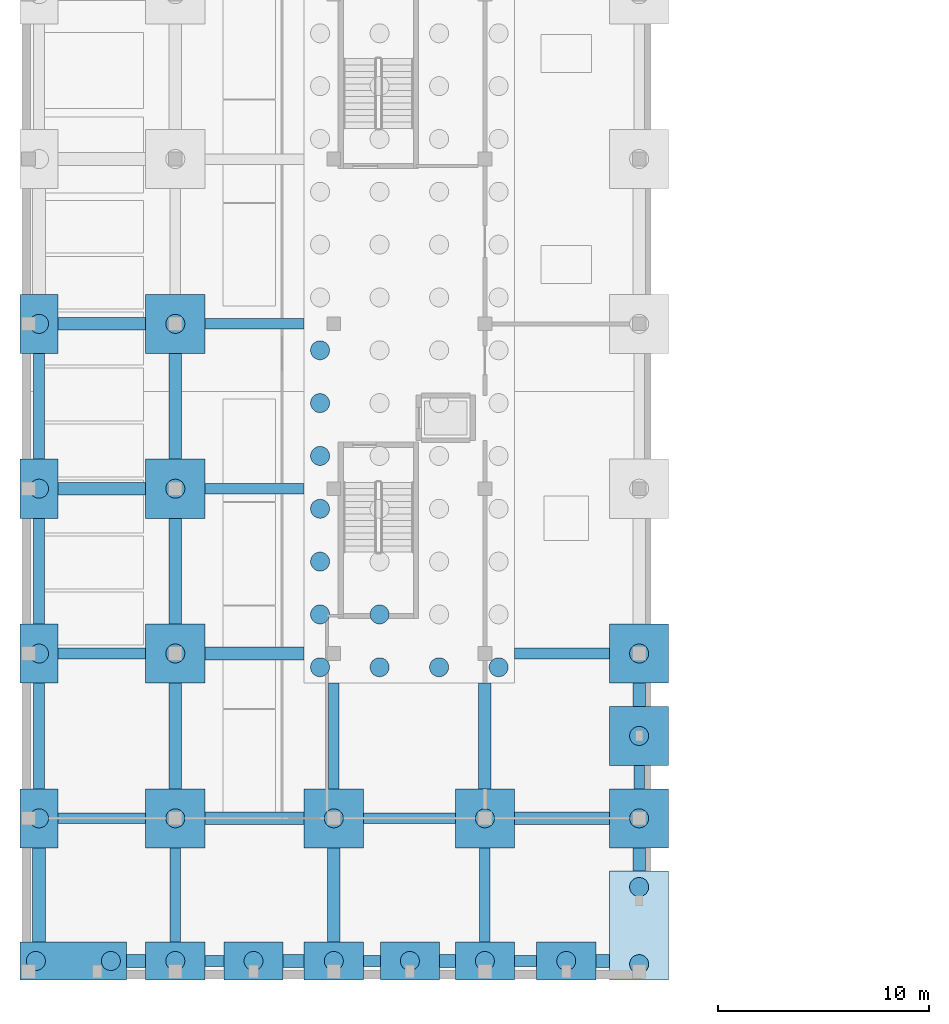
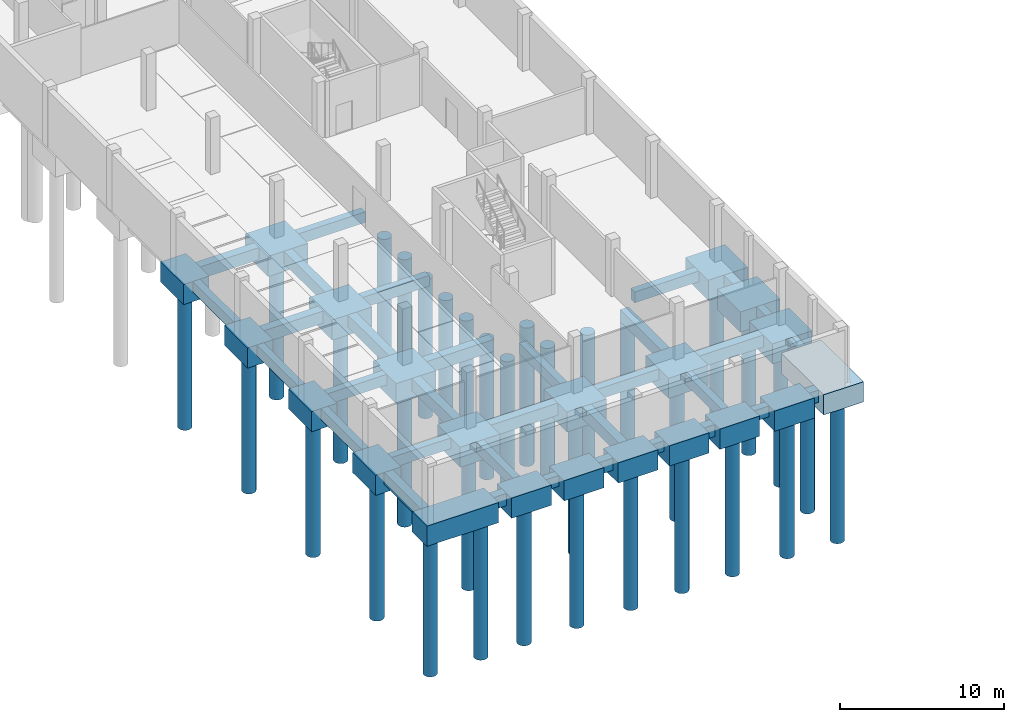
# One storey, part 1 of 21: 54 footings, 34 piles.
"""IFC4 building model written with IfcOpenShell, lengths in metres."""

from ifc_helpers import new_model, si_unit, direction, frame, origin, origin_2d, place, context, subcontext, project, spatial, polyline, circle, outline, extrude, material, material_profile, profile_set, type_object, element, save


model = new_model("IFC4")

# Units and contexts
model_context = context("Model", 3, precision=1e-05, world=origin(), true_north=direction((0.0, 1.0)))
body_context = subcontext(model_context, "Body", "Model", "MODEL_VIEW")
ifc_project = project(units=[si_unit("LENGTHUNIT", "METRE"), si_unit("AREAUNIT", "SQUARE_METRE"), si_unit("VOLUMEUNIT", "CUBIC_METRE"), si_unit("PLANEANGLEUNIT", "RADIAN"), si_unit("MASSUNIT", "GRAM", prefix="KILO")], contexts=[model_context])

# Site, building, storey
site_placement = place(None, origin())
site = spatial("IfcSite", under=ifc_project, at=site_placement, CompositionType="ELEMENT")
building_placement = place(site_placement, origin())
building = spatial("IfcBuilding", under=site, at=building_placement, Name="Quillay Park Conservatory", CompositionType="ELEMENT")
storey_placement = place(building_placement, frame((0.0, 0.0, -8.39990234375)))
storey = spatial("IfcBuildingStorey", under=building, at=storey_placement, Name="B2", CompositionType="ELEMENT", Elevation=-8.39990234375)

# Piles
ifc_material_1 = material(Name="Concrete C35/45 (NCh170 Concrete C35/45)", Category="concrete")
ifc_material_profile = material_profile(ifc_material_1, circle(Radius=0.449951171875, at=origin_2d()), Name="PILE900")
ifc_profile_set = profile_set([ifc_material_profile], Name="Concrete C35/45 (NCh170 Concrete C35/45)")
pile_type = type_object("IfcPileType", Name="BORED CONCRETE PILE 900", PredefinedType="BORED", material=ifc_profile_set)
for number, where, z_axis, x_axis, name in (
    (1, (0.89990234375, 1.050048828125, -1.7001953125), (0.0, 0.0, -1.0), (1.0, 0.0, 0.0), "Bored pile P-0001"),
    (2, (4.449951171875, 1.050048828125, -1.7001953125), (0.0, 0.0, -1.0), (1.0, 0.0, 0.0), "Bored pile P-0002"),
    (3, (7.5, 1.050048828125, -1.7001953125), (0.0, 0.0, -1.0), (1.0, 0.0, 0.0), "Bored pile P-0003"),
    (4, (11.199951171875, 1.050048828125, -1.7001953125), (0.0, 0.0, -1.0), (1.0, 0.0, 0.0), "Bored pile P-0004"),
    (5, (15.0, 1.050048828125, -1.7001953125), (0.0, 0.0, -1.0), (1.0, 0.0, 0.0), "Bored pile P-0005"),
    (6, (18.60009765625, 1.050048828125, -1.7001953125), (0.0, 0.0, -1.0), (1.0, 0.0, 0.0), "Bored pile P-0006"),
    (7, (22.14990234375, 1.050048828125, -1.7001953125), (0.0, 0.0, -1.0), (1.0, 0.0, 0.0), "Bored pile P-0007"),
    (8, (26.0, 1.050048828125, -1.7001953125), (0.0, 0.0, -1.0), (1.0, 0.0, 0.0), "Bored pile P-0008"),
    (9, (29.449951171875, 0.89990234375, -1.7001953125), (0.0, 0.0, -1.0), (1.0, 0.0, 0.0), "Bored pile P-0009"),
    (10, (29.449951171875, 4.550048828125, -1.7001953125), (0.0, 0.0, -1.0), (1.0, 0.0, 0.0), "Bored pile P-0010"),
    (11, (1.050048828125, 7.800048828125, -1.7001953125), (0.0, 0.0, -1.0), (1.0, 0.0, 0.0), "Bored pile P-0011"),
    (12, (7.5, 7.800048828125, -1.7001953125), (0.0, 0.0, -1.0), (1.0, 0.0, 0.0), "Bored pile P-0012"),
    (13, (15.0, 7.800048828125, -1.7001953125), (0.0, 0.0, -1.0), (1.0, 0.0, 0.0), "Bored pile P-0013"),
    (14, (22.14990234375, 7.800048828125, -1.7001953125), (0.0, 0.0, -1.0), (1.0, 0.0, 0.0), "Bored pile P-0014"),
    (15, (29.449951171875, 7.800048828125, -1.7001953125), (0.0, 0.0, -1.0), (1.0, 0.0, 0.0), "Bored pile P-0015"),
    (16, (29.449951171875, 11.699951171875, -1.7001953125), (0.0, 0.0, -1.0), (1.0, 0.0, 0.0), "Bored pile P-0016"),
    (17, (1.050048828125, 15.60009765625, -1.7001953125), (0.0, 0.0, -1.0), (1.0, 0.0, 0.0), "Bored pile P-0017"),
    (18, (7.5, 15.60009765625, -1.7001953125), (0.0, 0.0, -1.0), (1.0, 0.0, 0.0), "Bored pile P-0018"),
    (19, (14.35009765625, 14.949951171875, -1.7001953125), (0.0, 0.0, -1.0), (1.0, 0.0, 0.0), "Bored pile P-0019"),
    (20, (14.35009765625, 17.449951171875, -1.7001953125), (0.0, 0.0, -1.0), (1.0, 0.0, 0.0), "Bored pile P-0020"),
    (21, (14.35009765625, 19.949951171875, -1.7001953125), (0.0, 0.0, -1.0), (1.0, 0.0, 0.0), "Bored pile P-0021"),
    (22, (14.35009765625, 22.449951171875, -1.7001953125), (0.0, 0.0, -1.0), (1.0, 0.0, 0.0), "Bored pile P-0022"),
    (23, (14.35009765625, 24.949951171875, -1.7001953125), (0.0, 0.0, -1.0), (1.0, 0.0, 0.0), "Bored pile P-0023"),
    (24, (14.35009765625, 27.449951171875, -1.7001953125), (0.0, 0.0, -1.0), (1.0, 0.0, 0.0), "Bored pile P-0024"),
    (25, (14.35009765625, 29.949951171875, -1.7001953125), (0.0, 0.0, -1.0), (1.0, 0.0, 0.0), "Bored pile P-0025"),
    (26, (17.166748046875, 14.949951171875, -1.7001953125), (0.0, 0.0, -1.0), (1.0, 0.0, 0.0), "Bored pile P-0033"),
    (27, (17.166748046875, 17.449951171875, -1.7001953125), (0.0, 0.0, -1.0), (1.0, 0.0, 0.0), "Bored pile P-0034"),
    (28, (19.9833984375, 14.949951171875, -1.7001953125), (0.0, 0.0, -1.0), (1.0, 0.0, 0.0), "Bored pile P-0047"),
    (29, (22.800048828125, 14.949951171875, -1.7001953125), (0.0, 0.0, -1.0), (1.0, 0.0, 0.0), "Bored pile P-0061"),
    (30, (29.449951171875, 15.60009765625, -1.7001953125), (0.0, 0.0, -1.0), (1.0, 0.0, 0.0), "Bored pile P-0075"),
    (31, (1.050048828125, 23.39990234375, -1.7001953125), (0.0, 0.0, -1.0), (1.0, 0.0, 0.0), "Bored pile P-0076"),
    (32, (7.5, 23.39990234375, -1.7001953125), (0.0, 0.0, -1.0), (1.0, 0.0, 0.0), "Bored pile P-0077"),
    (33, (1.050048828125, 31.199951171875, -1.7001953125), (0.0, 0.0, -1.0), (1.0, 0.0, 0.0), "Bored pile P-0079"),
    (34, (7.5, 31.199951171875, -1.7001953125), (0.0, 0.0, -1.0), (1.0, 0.0, 0.0), "Bored pile P-0080"),
):
    element("IfcPile", number, at=place(storey_placement, frame(where, z_axis=z_axis, x_axis=x_axis)), inside=storey, type_object=pile_type, Name=name, PredefinedType="BORED", context=body_context, shape_type="SweptSolid", body=[
        extrude(circle(Radius=0.449951171875, at=origin_2d()), origin(), (0.0, 0.0, 1.0), 10.300048828125),
    ])

# Footings
ifc_material_2 = material(Name="Concrete C35/45 (NCh170 Concrete C35/45)", Category="concrete")
footing_type_1 = type_object("IfcFootingType", Name="BORED PILE CAP 1800 X2800", PredefinedType="PILE_CAP", material=ifc_material_2)
footing_1_placement = place(storey_placement, frame((0.0, 0.0, -1.800048828125)))
element("IfcFooting", 35, at=footing_1_placement, inside=storey, type_object=footing_type_1, Name="B2 pile cap PC-04 (009)", PredefinedType="PILE_CAP", context=body_context, shape_type="SweptSolid", body=[
    extrude(outline(polyline([(0.14990234375, 6.39990234375), (1.949951171875, 6.39990234375), (1.949951171875, 9.199951171875), (0.14990234375, 9.199951171875), (0.14990234375, 6.39990234375)])), origin(), (0.0, 0.0, 1.0), 1.5),
])
footing_2_placement = place(storey_placement, frame((0.0, 0.0, -1.800048828125)))
element("IfcFooting", 36, at=footing_2_placement, inside=storey, type_object=footing_type_1, Name="B2 pile cap PC-04 (015)", PredefinedType="PILE_CAP", context=body_context, shape_type="SweptSolid", body=[
    extrude(outline(polyline([(0.14990234375, 14.199951171875), (1.949951171875, 14.199951171875), (1.949951171875, 17.0), (0.14990234375, 17.0), (0.14990234375, 14.199951171875)])), origin(), (0.0, 0.0, 1.0), 1.5),
])
footing_3_placement = place(storey_placement, frame((0.0, 0.0, -1.800048828125)))
element("IfcFooting", 37, at=footing_3_placement, inside=storey, type_object=footing_type_1, Name="B2 pile cap PC-04 (019)", PredefinedType="PILE_CAP", context=body_context, shape_type="SweptSolid", body=[
    extrude(outline(polyline([(0.14990234375, 22.0), (1.949951171875, 22.0), (1.949951171875, 24.800048828125), (0.14990234375, 24.800048828125), (0.14990234375, 22.0)])), origin(), (0.0, 0.0, 1.0), 1.5),
])
footing_4_placement = place(storey_placement, frame((0.0, 0.0, -1.800048828125)))
element("IfcFooting", 38, at=footing_4_placement, inside=storey, type_object=footing_type_1, Name="B2 pile cap PC-04 (022)", PredefinedType="PILE_CAP", context=body_context, shape_type="SweptSolid", body=[
    extrude(outline(polyline([(0.14990234375, 29.800048828125), (1.949951171875, 29.800048828125), (1.949951171875, 32.60009765625), (0.14990234375, 32.60009765625), (0.14990234375, 29.800048828125)])), origin(), (0.0, 0.0, 1.0), 1.5),
])
ifc_material_3 = material(Name="Concrete C35/45 (NCh170 Concrete C35/45)", Category="concrete")
footing_type_2 = type_object("IfcFootingType", Name="BORED PILE CAP 2800 X1800", PredefinedType="PILE_CAP", material=ifc_material_3)
footing_5_placement = place(storey_placement, frame((0.0, 0.0, -1.800048828125)))
element("IfcFooting", 39, at=footing_5_placement, inside=storey, type_object=footing_type_2, Name="B2 pile cap PC-02 (002)", PredefinedType="PILE_CAP", context=body_context, shape_type="SweptSolid", body=[
    extrude(outline(polyline([(6.10009765625, 0.14990234375), (8.89990234375, 0.14990234375), (8.89990234375, 1.949951171875), (6.10009765625, 1.949951171875), (6.10009765625, 0.14990234375)])), origin(), (0.0, 0.0, 1.0), 1.5),
])
footing_6_placement = place(storey_placement, frame((0.0, 0.0, -1.800048828125)))
element("IfcFooting", 40, at=footing_6_placement, inside=storey, type_object=footing_type_2, Name="B2 pile cap PC-02 (003)", PredefinedType="PILE_CAP", context=body_context, shape_type="SweptSolid", body=[
    extrude(outline(polyline([(9.800048828125, 0.14990234375), (12.60009765625, 0.14990234375), (12.60009765625, 1.949951171875), (9.800048828125, 1.949951171875), (9.800048828125, 0.14990234375)])), origin(), (0.0, 0.0, 1.0), 1.5),
])
footing_7_placement = place(storey_placement, frame((0.0, 0.0, -1.800048828125)))
element("IfcFooting", 41, at=footing_7_placement, inside=storey, type_object=footing_type_2, Name="B2 pile cap PC-02 (004)", PredefinedType="PILE_CAP", context=body_context, shape_type="SweptSolid", body=[
    extrude(outline(polyline([(13.60009765625, 0.14990234375), (16.39990234375, 0.14990234375), (16.39990234375, 1.949951171875), (13.60009765625, 1.949951171875), (13.60009765625, 0.14990234375)])), origin(), (0.0, 0.0, 1.0), 1.5),
])
footing_8_placement = place(storey_placement, frame((0.0, 0.0, -1.800048828125)))
element("IfcFooting", 42, at=footing_8_placement, inside=storey, type_object=footing_type_2, Name="B2 pile cap PC-02 (005)", PredefinedType="PILE_CAP", context=body_context, shape_type="SweptSolid", body=[
    extrude(outline(polyline([(17.199951171875, 0.14990234375), (20.0, 0.14990234375), (20.0, 1.949951171875), (17.199951171875, 1.949951171875), (17.199951171875, 0.14990234375)])), origin(), (0.0, 0.0, 1.0), 1.5),
])
footing_9_placement = place(storey_placement, frame((0.0, 0.0, -1.800048828125)))
element("IfcFooting", 43, at=footing_9_placement, inside=storey, type_object=footing_type_2, Name="B2 pile cap PC-02 (006)", PredefinedType="PILE_CAP", context=body_context, shape_type="SweptSolid", body=[
    extrude(outline(polyline([(20.75, 0.14990234375), (23.550048828125, 0.14990234375), (23.550048828125, 1.949951171875), (20.75, 1.949951171875), (20.75, 0.14990234375)])), origin(), (0.0, 0.0, 1.0), 1.5),
])
footing_10_placement = place(storey_placement, frame((0.0, 0.0, -1.800048828125)))
element("IfcFooting", 44, at=footing_10_placement, inside=storey, type_object=footing_type_2, Name="B2 pile cap PC-02 (007)", PredefinedType="PILE_CAP", context=body_context, shape_type="SweptSolid", body=[
    extrude(outline(polyline([(24.60009765625, 0.14990234375), (27.39990234375, 0.14990234375), (27.39990234375, 1.949951171875), (24.60009765625, 1.949951171875), (24.60009765625, 0.14990234375)])), origin(), (0.0, 0.0, 1.0), 1.5),
])
ifc_material_4 = material(Name="Concrete C35/45 (NCh170 Concrete C35/45)", Category="concrete")
footing_type_3 = type_object("IfcFootingType", Name="BORED PILE CAP 2800 X2800", PredefinedType="PILE_CAP", material=ifc_material_4)
footing_11_placement = place(storey_placement, frame((0.0, 0.0, -1.800048828125)))
element("IfcFooting", 45, at=footing_11_placement, inside=storey, type_object=footing_type_3, Name="B2 pile cap PC-05 (010)", PredefinedType="PILE_CAP", context=body_context, shape_type="SweptSolid", body=[
    extrude(outline(polyline([(6.10009765625, 6.39990234375), (8.89990234375, 6.39990234375), (8.89990234375, 9.199951171875), (6.10009765625, 9.199951171875), (6.10009765625, 6.39990234375)])), origin(), (0.0, 0.0, 1.0), 1.5),
])
footing_12_placement = place(storey_placement, frame((0.0, 0.0, -1.800048828125)))
element("IfcFooting", 46, at=footing_12_placement, inside=storey, type_object=footing_type_3, Name="B2 pile cap PC-05 (011)", PredefinedType="PILE_CAP", context=body_context, shape_type="SweptSolid", body=[
    extrude(outline(polyline([(13.60009765625, 6.39990234375), (16.39990234375, 6.39990234375), (16.39990234375, 9.199951171875), (13.60009765625, 9.199951171875), (13.60009765625, 6.39990234375)])), origin(), (0.0, 0.0, 1.0), 1.5),
])
footing_13_placement = place(storey_placement, frame((0.0, 0.0, -1.800048828125)))
element("IfcFooting", 47, at=footing_13_placement, inside=storey, type_object=footing_type_3, Name="B2 pile cap PC-05 (012)", PredefinedType="PILE_CAP", context=body_context, shape_type="SweptSolid", body=[
    extrude(outline(polyline([(20.75, 6.39990234375), (23.550048828125, 6.39990234375), (23.550048828125, 9.199951171875), (20.75, 9.199951171875), (20.75, 6.39990234375)])), origin(), (0.0, 0.0, 1.0), 1.5),
])
footing_14_placement = place(storey_placement, frame((0.0, 0.0, -1.800048828125)))
element("IfcFooting", 48, at=footing_14_placement, inside=storey, type_object=footing_type_3, Name="B2 pile cap PC-05 (013)", PredefinedType="PILE_CAP", context=body_context, shape_type="SweptSolid", body=[
    extrude(outline(polyline([(28.050048828125, 6.39990234375), (30.85009765625, 6.39990234375), (30.85009765625, 9.199951171875), (28.050048828125, 9.199951171875), (28.050048828125, 6.39990234375)])), origin(), (0.0, 0.0, 1.0), 1.5),
])
footing_15_placement = place(storey_placement, frame((0.0, 0.0, -1.800048828125)))
element("IfcFooting", 49, at=footing_15_placement, inside=storey, type_object=footing_type_3, Name="B2 pile cap PC-05 (014)", PredefinedType="PILE_CAP", context=body_context, shape_type="SweptSolid", body=[
    extrude(outline(polyline([(28.050048828125, 10.300048828125), (30.85009765625, 10.300048828125), (30.85009765625, 13.10009765625), (28.050048828125, 13.10009765625), (28.050048828125, 10.300048828125)])), origin(), (0.0, 0.0, 1.0), 1.5),
])
footing_16_placement = place(storey_placement, frame((0.0, 0.0, -1.800048828125)))
element("IfcFooting", 50, at=footing_16_placement, inside=storey, type_object=footing_type_3, Name="B2 pile cap PC-05 (016)", PredefinedType="PILE_CAP", context=body_context, shape_type="SweptSolid", body=[
    extrude(outline(polyline([(6.10009765625, 14.199951171875), (8.89990234375, 14.199951171875), (8.89990234375, 17.0), (6.10009765625, 17.0), (6.10009765625, 14.199951171875)])), origin(), (0.0, 0.0, 1.0), 1.5),
])
footing_17_placement = place(storey_placement, frame((0.0, 0.0, -1.800048828125)))
element("IfcFooting", 51, at=footing_17_placement, inside=storey, type_object=footing_type_3, Name="B2 pile cap PC-05 (018)", PredefinedType="PILE_CAP", context=body_context, shape_type="SweptSolid", body=[
    extrude(outline(polyline([(28.050048828125, 14.199951171875), (30.85009765625, 14.199951171875), (30.85009765625, 17.0), (28.050048828125, 17.0), (28.050048828125, 14.199951171875)])), origin(), (0.0, 0.0, 1.0), 1.5),
])
footing_18_placement = place(storey_placement, frame((0.0, 0.0, -1.800048828125)))
element("IfcFooting", 52, at=footing_18_placement, inside=storey, type_object=footing_type_3, Name="B2 pile cap PC-05 (020)", PredefinedType="PILE_CAP", context=body_context, shape_type="SweptSolid", body=[
    extrude(outline(polyline([(6.10009765625, 22.0), (8.89990234375, 22.0), (8.89990234375, 24.800048828125), (6.10009765625, 24.800048828125), (6.10009765625, 22.0)])), origin(), (0.0, 0.0, 1.0), 1.5),
])
footing_19_placement = place(storey_placement, frame((0.0, 0.0, -1.800048828125)))
element("IfcFooting", 53, at=footing_19_placement, inside=storey, type_object=footing_type_3, Name="B2 pile cap PC-05 (023)", PredefinedType="PILE_CAP", context=body_context, shape_type="SweptSolid", body=[
    extrude(outline(polyline([(6.10009765625, 29.800048828125), (8.89990234375, 29.800048828125), (8.89990234375, 32.60009765625), (6.10009765625, 32.60009765625), (6.10009765625, 29.800048828125)])), origin(), (0.0, 0.0, 1.0), 1.5),
])
ifc_material_5 = material(Name="Concrete C35/45 (NCh170 Concrete C35/45)", Category="concrete")
footing_type_4 = type_object("IfcFootingType", Name="BORED PILE CAP 2800 X5150", PredefinedType="PILE_CAP", material=ifc_material_5)
footing_20_placement = place(storey_placement, frame((0.0, 0.0, -1.800048828125)))
element("IfcFooting", 54, at=footing_20_placement, inside=storey, type_object=footing_type_4, Name="B2 pile cap PC-03 (008)", PredefinedType="PILE_CAP", context=body_context, shape_type="SweptSolid", body=[
    extrude(outline(polyline([(28.050048828125, 0.14990234375), (30.85009765625, 0.14990234375), (30.85009765625, 5.300048828125), (28.050048828125, 5.300048828125), (28.050048828125, 0.14990234375)])), origin(), (0.0, 0.0, 1.0), 1.5),
])
ifc_material_6 = material(Name="Concrete C35/45 (NCh170 Concrete C35/45)", Category="concrete")
footing_type_5 = type_object("IfcFootingType", Name="BORED PILE CAP 5050 X1800", PredefinedType="PILE_CAP", material=ifc_material_6)
footing_21_placement = place(storey_placement, frame((0.0, 0.0, -1.800048828125)))
element("IfcFooting", 55, at=footing_21_placement, inside=storey, type_object=footing_type_5, Name="B2 pile cap PC-01 (001)", PredefinedType="PILE_CAP", context=body_context, shape_type="SweptSolid", body=[
    extrude(outline(polyline([(0.14990234375, 0.14990234375), (5.199951171875, 0.14990234375), (5.199951171875, 1.949951171875), (0.14990234375, 1.949951171875), (0.14990234375, 0.14990234375)])), origin(), (0.0, 0.0, 1.0), 1.5),
])
ifc_material_7 = material(Name="Concrete C35/45 (NCh170 Concrete C35/45)", Category="concrete")
footing_type_6 = type_object("IfcFootingType", Name="SEISMIC GROUND BEAM 500 X800", PredefinedType="FOOTING_BEAM", material=ifc_material_7)
footing_22_placement = place(storey_placement, frame((0.0, 0.0, -1.10009765625)))
element("IfcFooting", 56, at=footing_22_placement, inside=storey, type_object=footing_type_6, Name="Seismic ground tie beam FB-002", PredefinedType="FOOTING_BEAM", context=body_context, shape_type="SweptSolid", body=[
    extrude(outline(polyline([(8.89990234375, 0.800048828125), (9.800048828125, 0.800048828125), (9.800048828125, 1.300048828125), (8.89990234375, 1.300048828125), (8.89990234375, 0.800048828125)])), origin(), (0.0, 0.0, 1.0), 0.800048828125),
])
footing_23_placement = place(storey_placement, frame((0.0, 0.0, -1.10009765625)))
element("IfcFooting", 57, at=footing_23_placement, inside=storey, type_object=footing_type_6, Name="Seismic ground tie beam FB-004", PredefinedType="FOOTING_BEAM", context=body_context, shape_type="SweptSolid", body=[
    extrude(outline(polyline([(16.39990234375, 0.800048828125), (17.199951171875, 0.800048828125), (17.199951171875, 1.300048828125), (16.39990234375, 1.300048828125), (16.39990234375, 0.800048828125)])), origin(), (0.0, 0.0, 1.0), 0.800048828125),
])
footing_24_placement = place(storey_placement, frame((0.0, 0.0, -1.10009765625)))
element("IfcFooting", 58, at=footing_24_placement, inside=storey, type_object=footing_type_6, Name="Seismic ground tie beam FB-006", PredefinedType="FOOTING_BEAM", context=body_context, shape_type="SweptSolid", body=[
    extrude(outline(polyline([(23.550048828125, 0.800048828125), (24.60009765625, 0.800048828125), (24.60009765625, 1.300048828125), (23.550048828125, 1.300048828125), (23.550048828125, 0.800048828125)])), origin(), (0.0, 0.0, 1.0), 0.800048828125),
])
footing_25_placement = place(storey_placement, frame((0.0, 0.0, -1.10009765625)))
element("IfcFooting", 59, at=footing_25_placement, inside=storey, type_object=footing_type_6, Name="Seismic ground tie beam FB-008", PredefinedType="FOOTING_BEAM", context=body_context, shape_type="SweptSolid", body=[
    extrude(outline(polyline([(1.949951171875, 7.550048828125), (6.10009765625, 7.550048828125), (6.10009765625, 8.050048828125), (1.949951171875, 8.050048828125), (1.949951171875, 7.550048828125)])), origin(), (0.0, 0.0, 1.0), 0.800048828125),
])
footing_26_placement = place(storey_placement, frame((0.0, 0.0, -1.10009765625)))
element("IfcFooting", 60, at=footing_26_placement, inside=storey, type_object=footing_type_6, Name="Seismic ground tie beam FB-010", PredefinedType="FOOTING_BEAM", context=body_context, shape_type="SweptSolid", body=[
    extrude(outline(polyline([(16.39990234375, 7.550048828125), (20.75, 7.550048828125), (20.75, 8.050048828125), (16.39990234375, 8.050048828125), (16.39990234375, 7.550048828125)])), origin(), (0.0, 0.0, 1.0), 0.800048828125),
])
footing_27_placement = place(storey_placement, frame((0.0, 0.0, -1.10009765625)))
element("IfcFooting", 61, at=footing_27_placement, inside=storey, type_object=footing_type_6, Name="Seismic ground tie beam FB-012", PredefinedType="FOOTING_BEAM", context=body_context, shape_type="SweptSolid", body=[
    extrude(outline(polyline([(1.949951171875, 15.35009765625), (6.10009765625, 15.35009765625), (6.10009765625, 15.85009765625), (1.949951171875, 15.85009765625), (1.949951171875, 15.35009765625)])), origin(), (0.0, 0.0, 1.0), 0.800048828125),
])
footing_28_placement = place(storey_placement, frame((0.0, 0.0, -1.10009765625)))
element("IfcFooting", 62, at=footing_28_placement, inside=storey, type_object=footing_type_6, Name="Seismic ground tie beam FB-014", PredefinedType="FOOTING_BEAM", context=body_context, shape_type="SweptSolid", body=[
    extrude(outline(polyline([(23.550048828125, 15.35009765625), (28.050048828125, 15.35009765625), (28.050048828125, 15.85009765625), (23.550048828125, 15.85009765625), (23.550048828125, 15.35009765625)])), origin(), (0.0, 0.0, 1.0), 0.800048828125),
])
footing_29_placement = place(storey_placement, frame((0.0, 0.0, -1.10009765625)))
element("IfcFooting", 63, at=footing_29_placement, inside=storey, type_object=footing_type_6, Name="Seismic ground tie beam FB-016", PredefinedType="FOOTING_BEAM", context=body_context, shape_type="SweptSolid", body=[
    extrude(outline(polyline([(8.89990234375, 23.14990234375), (13.60009765625, 23.14990234375), (13.60009765625, 23.64990234375), (8.89990234375, 23.64990234375), (8.89990234375, 23.14990234375)])), origin(), (0.0, 0.0, 1.0), 0.800048828125),
])
footing_30_placement = place(storey_placement, frame((0.0, 0.0, -1.10009765625)))
element("IfcFooting", 64, at=footing_30_placement, inside=storey, type_object=footing_type_6, Name="Seismic ground tie beam FB-018", PredefinedType="FOOTING_BEAM", context=body_context, shape_type="SweptSolid", body=[
    extrude(outline(polyline([(8.89990234375, 30.949951171875), (13.60009765625, 30.949951171875), (13.60009765625, 31.449951171875), (8.89990234375, 31.449951171875), (8.89990234375, 30.949951171875)])), origin(), (0.0, 0.0, 1.0), 0.800048828125),
])
footing_31_placement = place(storey_placement, frame((0.0, 0.0, -1.10009765625)))
element("IfcFooting", 65, at=footing_31_placement, inside=storey, type_object=footing_type_6, Name="Seismic ground tie beam FB-096", PredefinedType="FOOTING_BEAM", context=body_context, shape_type="SweptSolid", body=[
    extrude(outline(polyline([(7.25, 1.949951171875), (7.75, 1.949951171875), (7.75, 6.39990234375), (7.25, 6.39990234375), (7.25, 1.949951171875)])), origin(), (0.0, 0.0, 1.0), 0.800048828125),
])
footing_32_placement = place(storey_placement, frame((0.0, 0.0, -1.10009765625)))
element("IfcFooting", 66, at=footing_32_placement, inside=storey, type_object=footing_type_6, Name="Seismic ground tie beam FB-098", PredefinedType="FOOTING_BEAM", context=body_context, shape_type="SweptSolid", body=[
    extrude(outline(polyline([(21.89990234375, 1.949951171875), (22.39990234375, 1.949951171875), (22.39990234375, 6.39990234375), (21.89990234375, 6.39990234375), (21.89990234375, 1.949951171875)])), origin(), (0.0, 0.0, 1.0), 0.800048828125),
])
footing_33_placement = place(storey_placement, frame((0.0, 0.0, -1.10009765625)))
element("IfcFooting", 67, at=footing_33_placement, inside=storey, type_object=footing_type_6, Name="Seismic ground tie beam FB-100", PredefinedType="FOOTING_BEAM", context=body_context, shape_type="SweptSolid", body=[
    extrude(outline(polyline([(0.800048828125, 9.199951171875), (1.300048828125, 9.199951171875), (1.300048828125, 14.199951171875), (0.800048828125, 14.199951171875), (0.800048828125, 9.199951171875)])), origin(), (0.0, 0.0, 1.0), 0.800048828125),
])
footing_34_placement = place(storey_placement, frame((0.0, 0.0, -1.10009765625)))
element("IfcFooting", 68, at=footing_34_placement, inside=storey, type_object=footing_type_6, Name="Seismic ground tie beam FB-102", PredefinedType="FOOTING_BEAM", context=body_context, shape_type="SweptSolid", body=[
    extrude(outline(polyline([(14.75, 9.199951171875), (15.25, 9.199951171875), (15.25, 14.199951171875), (14.75, 14.199951171875), (14.75, 9.199951171875)])), origin(), (0.0, 0.0, 1.0), 0.800048828125),
])
footing_35_placement = place(storey_placement, frame((0.0, 0.0, -1.10009765625)))
element("IfcFooting", 69, at=footing_35_placement, inside=storey, type_object=footing_type_6, Name="Seismic ground tie beam FB-104", PredefinedType="FOOTING_BEAM", context=body_context, shape_type="SweptSolid", body=[
    extrude(outline(polyline([(29.199951171875, 9.199951171875), (29.699951171875, 9.199951171875), (29.699951171875, 10.300048828125), (29.199951171875, 10.300048828125), (29.199951171875, 9.199951171875)])), origin(), (0.0, 0.0, 1.0), 0.800048828125),
])
footing_36_placement = place(storey_placement, frame((0.0, 0.0, -1.10009765625)))
element("IfcFooting", 70, at=footing_36_placement, inside=storey, type_object=footing_type_6, Name="Seismic ground tie beam FB-106", PredefinedType="FOOTING_BEAM", context=body_context, shape_type="SweptSolid", body=[
    extrude(outline(polyline([(0.800048828125, 17.0), (1.300048828125, 17.0), (1.300048828125, 22.0), (0.800048828125, 22.0), (0.800048828125, 17.0)])), origin(), (0.0, 0.0, 1.0), 0.800048828125),
])
footing_37_placement = place(storey_placement, frame((0.0, 0.0, -1.10009765625)))
element("IfcFooting", 71, at=footing_37_placement, inside=storey, type_object=footing_type_6, Name="Seismic ground tie beam FB-110", PredefinedType="FOOTING_BEAM", context=body_context, shape_type="SweptSolid", body=[
    extrude(outline(polyline([(0.800048828125, 24.800048828125), (1.300048828125, 24.800048828125), (1.300048828125, 29.800048828125), (0.800048828125, 29.800048828125), (0.800048828125, 24.800048828125)])), origin(), (0.0, 0.0, 1.0), 0.800048828125),
])
ifc_material_8 = material(Name="Concrete C35/45 (NCh170 Concrete C35/45)", Category="concrete")
footing_type_7 = type_object("IfcFootingType", Name="SEISMIC GROUND BEAM 600 X900", PredefinedType="FOOTING_BEAM", material=ifc_material_8)
footing_38_placement = place(storey_placement, frame((0.0, 0.0, -1.2001953125)))
element("IfcFooting", 72, at=footing_38_placement, inside=storey, type_object=footing_type_7, Name="Seismic ground tie beam FB-001", PredefinedType="FOOTING_BEAM", context=body_context, shape_type="SweptSolid", body=[
    extrude(outline(polyline([(5.199951171875, 0.75), (6.10009765625, 0.75), (6.10009765625, 1.35009765625), (5.199951171875, 1.35009765625), (5.199951171875, 0.75)])), origin(), (0.0, 0.0, 1.0), 0.900146484375),
])
footing_39_placement = place(storey_placement, frame((0.0, 0.0, -1.2001953125)))
element("IfcFooting", 73, at=footing_39_placement, inside=storey, type_object=footing_type_7, Name="Seismic ground tie beam FB-003", PredefinedType="FOOTING_BEAM", context=body_context, shape_type="SweptSolid", body=[
    extrude(outline(polyline([(12.60009765625, 0.75), (13.60009765625, 0.75), (13.60009765625, 1.35009765625), (12.60009765625, 1.35009765625), (12.60009765625, 0.75)])), origin(), (0.0, 0.0, 1.0), 0.900146484375),
])
footing_40_placement = place(storey_placement, frame((0.0, 0.0, -1.2001953125)))
element("IfcFooting", 74, at=footing_40_placement, inside=storey, type_object=footing_type_7, Name="Seismic ground tie beam FB-005", PredefinedType="FOOTING_BEAM", context=body_context, shape_type="SweptSolid", body=[
    extrude(outline(polyline([(20.0, 0.75), (20.75, 0.75), (20.75, 1.35009765625), (20.0, 1.35009765625), (20.0, 0.75)])), origin(), (0.0, 0.0, 1.0), 0.900146484375),
])
footing_41_placement = place(storey_placement, frame((0.0, 0.0, -1.2001953125)))
element("IfcFooting", 75, at=footing_41_placement, inside=storey, type_object=footing_type_7, Name="Seismic ground tie beam FB-007", PredefinedType="FOOTING_BEAM", context=body_context, shape_type="SweptSolid", body=[
    extrude(outline(polyline([(27.39990234375, 0.75), (28.050048828125, 0.75), (28.050048828125, 1.35009765625), (27.39990234375, 1.35009765625), (27.39990234375, 0.75)])), origin(), (0.0, 0.0, 1.0), 0.900146484375),
])
footing_42_placement = place(storey_placement, frame((0.0, 0.0, -1.2001953125)))
element("IfcFooting", 76, at=footing_42_placement, inside=storey, type_object=footing_type_7, Name="Seismic ground tie beam FB-009", PredefinedType="FOOTING_BEAM", context=body_context, shape_type="SweptSolid", body=[
    extrude(outline(polyline([(8.89990234375, 7.5), (13.60009765625, 7.5), (13.60009765625, 8.10009765625), (8.89990234375, 8.10009765625), (8.89990234375, 7.5)])), origin(), (0.0, 0.0, 1.0), 0.900146484375),
])
footing_43_placement = place(storey_placement, frame((0.0, 0.0, -1.2001953125)))
element("IfcFooting", 77, at=footing_43_placement, inside=storey, type_object=footing_type_7, Name="Seismic ground tie beam FB-011", PredefinedType="FOOTING_BEAM", context=body_context, shape_type="SweptSolid", body=[
    extrude(outline(polyline([(23.550048828125, 7.5), (28.050048828125, 7.5), (28.050048828125, 8.10009765625), (23.550048828125, 8.10009765625), (23.550048828125, 7.5)])), origin(), (0.0, 0.0, 1.0), 0.900146484375),
])
footing_44_placement = place(storey_placement, frame((0.0, 0.0, -1.2001953125)))
element("IfcFooting", 78, at=footing_44_placement, inside=storey, type_object=footing_type_7, Name="Seismic ground tie beam FB-013", PredefinedType="FOOTING_BEAM", context=body_context, shape_type="SweptSolid", body=[
    extrude(outline(polyline([(8.89990234375, 15.300048828125), (13.60009765625, 15.300048828125), (13.60009765625, 15.89990234375), (8.89990234375, 15.89990234375), (8.89990234375, 15.300048828125)])), origin(), (0.0, 0.0, 1.0), 0.900146484375),
])
footing_45_placement = place(storey_placement, frame((0.0, 0.0, -1.2001953125)))
element("IfcFooting", 79, at=footing_45_placement, inside=storey, type_object=footing_type_7, Name="Seismic ground tie beam FB-015", PredefinedType="FOOTING_BEAM", context=body_context, shape_type="SweptSolid", body=[
    extrude(outline(polyline([(1.949951171875, 23.10009765625), (6.10009765625, 23.10009765625), (6.10009765625, 23.699951171875), (1.949951171875, 23.699951171875), (1.949951171875, 23.10009765625)])), origin(), (0.0, 0.0, 1.0), 0.900146484375),
])
footing_46_placement = place(storey_placement, frame((0.0, 0.0, -1.2001953125)))
element("IfcFooting", 80, at=footing_46_placement, inside=storey, type_object=footing_type_7, Name="Seismic ground tie beam FB-017", PredefinedType="FOOTING_BEAM", context=body_context, shape_type="SweptSolid", body=[
    extrude(outline(polyline([(1.949951171875, 30.89990234375), (6.10009765625, 30.89990234375), (6.10009765625, 31.5), (1.949951171875, 31.5), (1.949951171875, 30.89990234375)])), origin(), (0.0, 0.0, 1.0), 0.900146484375),
])
footing_47_placement = place(storey_placement, frame((0.0, 0.0, -1.2001953125)))
element("IfcFooting", 81, at=footing_47_placement, inside=storey, type_object=footing_type_7, Name="Seismic ground tie beam FB-095", PredefinedType="FOOTING_BEAM", context=body_context, shape_type="SweptSolid", body=[
    extrude(outline(polyline([(0.75, 1.949951171875), (1.35009765625, 1.949951171875), (1.35009765625, 6.39990234375), (0.75, 6.39990234375), (0.75, 1.949951171875)])), origin(), (0.0, 0.0, 1.0), 0.900146484375),
])
footing_48_placement = place(storey_placement, frame((0.0, 0.0, -1.2001953125)))
element("IfcFooting", 82, at=footing_48_placement, inside=storey, type_object=footing_type_7, Name="Seismic ground tie beam FB-097", PredefinedType="FOOTING_BEAM", context=body_context, shape_type="SweptSolid", body=[
    extrude(outline(polyline([(14.699951171875, 1.949951171875), (15.300048828125, 1.949951171875), (15.300048828125, 6.39990234375), (14.699951171875, 6.39990234375), (14.699951171875, 1.949951171875)])), origin(), (0.0, 0.0, 1.0), 0.900146484375),
])
footing_49_placement = place(storey_placement, frame((0.0, 0.0, -1.2001953125)))
element("IfcFooting", 83, at=footing_49_placement, inside=storey, type_object=footing_type_7, Name="Seismic ground tie beam FB-099", PredefinedType="FOOTING_BEAM", context=body_context, shape_type="SweptSolid", body=[
    extrude(outline(polyline([(29.14990234375, 5.300048828125), (29.75, 5.300048828125), (29.75, 6.39990234375), (29.14990234375, 6.39990234375), (29.14990234375, 5.300048828125)])), origin(), (0.0, 0.0, 1.0), 0.900146484375),
])
footing_50_placement = place(storey_placement, frame((0.0, 0.0, -1.2001953125)))
element("IfcFooting", 84, at=footing_50_placement, inside=storey, type_object=footing_type_7, Name="Seismic ground tie beam FB-101", PredefinedType="FOOTING_BEAM", context=body_context, shape_type="SweptSolid", body=[
    extrude(outline(polyline([(7.199951171875, 9.199951171875), (7.800048828125, 9.199951171875), (7.800048828125, 14.199951171875), (7.199951171875, 14.199951171875), (7.199951171875, 9.199951171875)])), origin(), (0.0, 0.0, 1.0), 0.900146484375),
])
footing_51_placement = place(storey_placement, frame((0.0, 0.0, -1.2001953125)))
element("IfcFooting", 85, at=footing_51_placement, inside=storey, type_object=footing_type_7, Name="Seismic ground tie beam FB-103", PredefinedType="FOOTING_BEAM", context=body_context, shape_type="SweptSolid", body=[
    extrude(outline(polyline([(21.85009765625, 9.199951171875), (22.449951171875, 9.199951171875), (22.449951171875, 14.199951171875), (21.85009765625, 14.199951171875), (21.85009765625, 9.199951171875)])), origin(), (0.0, 0.0, 1.0), 0.900146484375),
])
footing_52_placement = place(storey_placement, frame((0.0, 0.0, -1.2001953125)))
element("IfcFooting", 86, at=footing_52_placement, inside=storey, type_object=footing_type_7, Name="Seismic ground tie beam FB-105", PredefinedType="FOOTING_BEAM", context=body_context, shape_type="SweptSolid", body=[
    extrude(outline(polyline([(29.14990234375, 13.10009765625), (29.75, 13.10009765625), (29.75, 14.199951171875), (29.14990234375, 14.199951171875), (29.14990234375, 13.10009765625)])), origin(), (0.0, 0.0, 1.0), 0.900146484375),
])
footing_53_placement = place(storey_placement, frame((0.0, 0.0, -1.2001953125)))
element("IfcFooting", 87, at=footing_53_placement, inside=storey, type_object=footing_type_7, Name="Seismic ground tie beam FB-107", PredefinedType="FOOTING_BEAM", context=body_context, shape_type="SweptSolid", body=[
    extrude(outline(polyline([(7.199951171875, 17.0), (7.800048828125, 17.0), (7.800048828125, 22.0), (7.199951171875, 22.0), (7.199951171875, 17.0)])), origin(), (0.0, 0.0, 1.0), 0.900146484375),
])
footing_54_placement = place(storey_placement, frame((0.0, 0.0, -1.2001953125)))
element("IfcFooting", 88, at=footing_54_placement, inside=storey, type_object=footing_type_7, Name="Seismic ground tie beam FB-111", PredefinedType="FOOTING_BEAM", context=body_context, shape_type="SweptSolid", body=[
    extrude(outline(polyline([(7.199951171875, 24.800048828125), (7.800048828125, 24.800048828125), (7.800048828125, 29.800048828125), (7.199951171875, 29.800048828125), (7.199951171875, 24.800048828125)])), origin(), (0.0, 0.0, 1.0), 0.900146484375),
])

save(model, "model.ifc")
